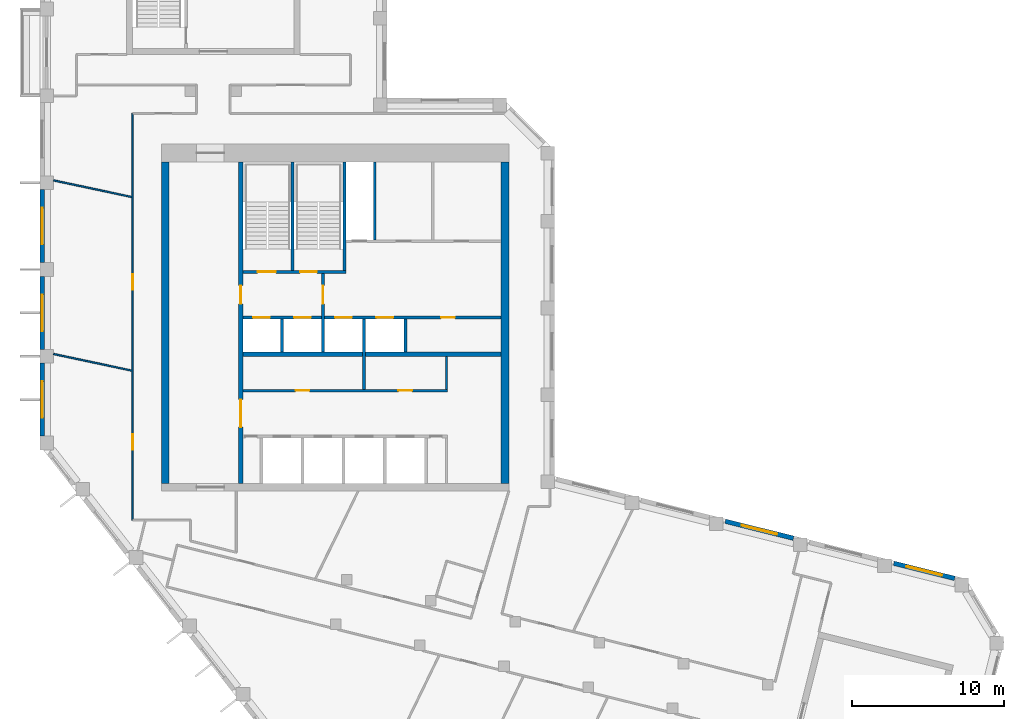
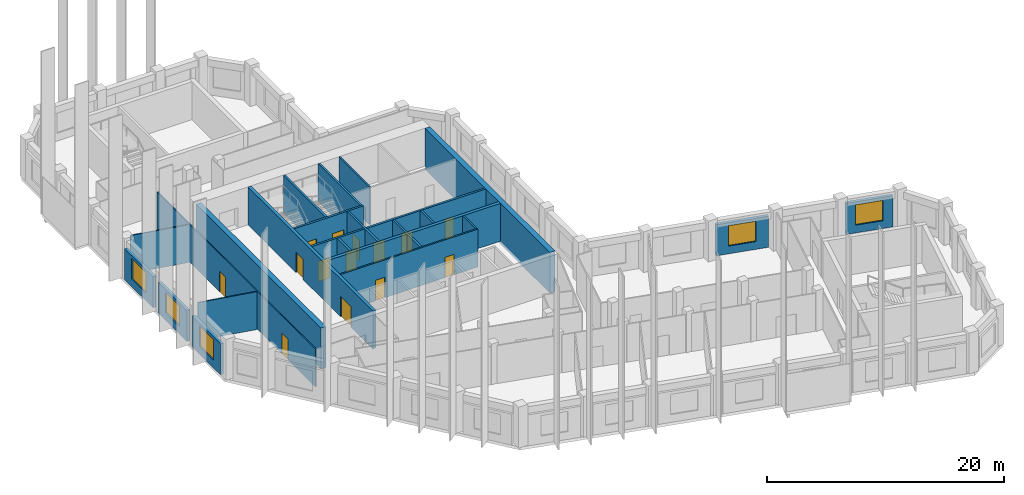
# One storey, part 5 of 8: 23 walls, 14 doors, 5 windows, 19 openings.
"""IFC4 building model written with IfcOpenShell, lengths in metres."""

from ifc_helpers import new_model, si_unit, direction, frame, frame_2d, origin, place, context, subcontext, project, spatial, rectangle, extrude, material, layer, layer_set, type_object, element, fill, save


model = new_model("IFC4")

# Units and contexts
model_context = context("Model", 3, precision=1e-05, world=origin(), true_north=direction((0.0, 1.0)))
body_context = subcontext(model_context, "Body", "Model", "MODEL_VIEW")
ifc_project = project(units=[si_unit("LENGTHUNIT", "METRE"), si_unit("AREAUNIT", "SQUARE_METRE"), si_unit("VOLUMEUNIT", "CUBIC_METRE"), si_unit("PLANEANGLEUNIT", "RADIAN"), si_unit("MASSUNIT", "GRAM", prefix="KILO")], contexts=[model_context])

# Site, building, storey
site_placement = place(None, origin())
site = spatial("IfcSite", under=ifc_project, at=site_placement, CompositionType="ELEMENT")
building_placement = place(site_placement, origin())
building = spatial("IfcBuilding", under=site, at=building_placement, Name="Meshkara Civic Tower", CompositionType="ELEMENT")
storey_placement = place(building_placement, frame((0.0, 0.0, 370.800048828125)))
storey = spatial("IfcBuildingStorey", under=building, at=storey_placement, Name="L85", CompositionType="ELEMENT", Elevation=370.800048828125)

# Wall, openings, doors
ifc_material_1 = material(Name="Blockwork", Category="masonry")
ifc_layer_1 = layer(ifc_material_1, 0.14990234375)
ifc_layer_set_1 = layer_set([ifc_layer_1], Name="Core partition 150")
wall_type_1 = type_object("IfcWallType", Name="Core partition 150", PredefinedType="PARTITIONING", material=ifc_layer_set_1)
wall_1_placement = place(storey_placement, frame((13.35009765625, 20.699951171875, 0.0), z_axis=(0.0, 0.0, 1.0), x_axis=(1.0, 0.0, 0.0)))
wall_1 = element("IfcWall", 1, at=wall_1_placement, inside=storey, type_object=wall_type_1, Name="L85-C006", PredefinedType="PARTITIONING", context=body_context, shape_type="SweptSolid", body=[
    extrude(rectangle(XDim=13.4248046875, YDim=0.14990234375, at=frame_2d((6.71240234375, 0.0))), origin(), (0.0, 0.0, 1.0), 3.89990234375),
])
opening_1_placement = place(wall_1_placement, frame((3.449951171875, 0.0, 0.0)))
opening_1 = element("IfcOpeningElement", 2, at=opening_1_placement, cuts=wall_1, Name="Opening L85-K011", PredefinedType="OPENING", context=body_context, shape_type="SweptSolid", body=[
    extrude(rectangle(XDim=0.89990234375, YDim=2.10009765625, at=frame_2d((0.449951171875, 1.050048828125))), frame((0.0, 0.0849609375, 0.0), z_axis=(0.0, -1.0, 0.0), x_axis=(1.0, 0.0, 0.0)), (0.0, 0.0, 1.0), 0.169921875),
])
opening_2_placement = place(wall_1_placement, frame((10.199951171875, 0.0, 0.0)))
opening_2 = element("IfcOpeningElement", 3, at=opening_2_placement, cuts=wall_1, Name="Opening L85-K012", PredefinedType="OPENING", context=body_context, shape_type="SweptSolid", body=[
    extrude(rectangle(XDim=0.89990234375, YDim=2.10009765625, at=frame_2d((0.449951171875, 1.050048828125))), frame((0.0, 0.0849609375, 0.0), z_axis=(0.0, -1.0, 0.0), x_axis=(1.0, 0.0, 0.0)), (0.0, 0.0, 1.0), 0.169921875),
])
ifc_material_2 = material(Name="Timber door leaf in steel frame", Category="steel")
door_type_1 = type_object("IfcDoorType", Name="Core room door 900", OperationType="SINGLE_SWING_LEFT", PredefinedType="DOOR", material=ifc_material_2)
door_1_placement = place(opening_1_placement, origin())
door_1 = element("IfcDoor", 4, at=door_1_placement, inside=storey, type_object=door_type_1, Name="L85-K011", OperationType="SINGLE_SWING_RIGHT", OverallHeight=2.10009765625, OverallWidth=0.89990234375, PredefinedType="DOOR", context=body_context, shape_type="SweptSolid", body=[
    extrude(rectangle(XDim=0.89990234375, YDim=2.10009765625, at=frame_2d((0.449951171875, 1.050048828125))), frame((0.0, 0.02490234375, 0.0), z_axis=(0.0, -1.0, 0.0), x_axis=(1.0, 0.0, 0.0)), (0.0, 0.0, 1.0), 0.050048828125),
])
fill(opening_1, door_1)
door_2_placement = place(opening_2_placement, origin())
door_2 = element("IfcDoor", 5, at=door_2_placement, inside=storey, type_object=door_type_1, Name="L85-K012", OperationType="SINGLE_SWING_RIGHT", OverallHeight=2.10009765625, OverallWidth=0.89990234375, PredefinedType="DOOR", context=body_context, shape_type="SweptSolid", body=[
    extrude(rectangle(XDim=0.89990234375, YDim=2.10009765625, at=frame_2d((0.449951171875, 1.050048828125))), frame((0.0, 0.02490234375, 0.0), z_axis=(0.0, -1.0, 0.0), x_axis=(1.0, 0.0, 0.0)), (0.0, 0.0, 1.0), 0.050048828125),
])
fill(opening_2, door_2)

# Walls
wall_2_placement = place(storey_placement, frame((22.0, 30.574951171875, 0.0), z_axis=(0.0, 0.0, 1.0), x_axis=(0.0, 1.0, 0.0)))
element("IfcWall", 6, at=wall_2_placement, inside=storey, type_object=wall_type_1, Name="L85-C020", PredefinedType="PARTITIONING", context=body_context, shape_type="SweptSolid", body=[
    extrude(rectangle(XDim=5.125, YDim=0.14990234375, at=frame_2d((2.5625, 0.0))), origin(), (0.0, 0.0, 1.0), 3.89990234375),
])
wall_3_placement = place(storey_placement, frame((26.699951171875, 20.77490234375, 0.0), z_axis=(0.0, 0.0, 1.0), x_axis=(0.0, 1.0, 0.0)))
element("IfcWall", 7, at=wall_3_placement, inside=storey, type_object=wall_type_1, Name="L85-C026", PredefinedType="PARTITIONING", context=body_context, shape_type="SweptSolid", body=[
    extrude(rectangle(XDim=2.175048828125, YDim=0.14990234375, at=frame_2d((1.08740234375, 0.0))), origin(), (0.0, 0.0, 1.0), 3.89990234375),
])
ifc_material_3 = material(Name="Concrete C50", Category="concrete")
ifc_layer_2 = layer(ifc_material_3, 0.5)
ifc_layer_set_2 = layer_set([ifc_layer_2], Name="Core ring wall 500 C50")
wall_type_2 = type_object("IfcWallType", Name="Core ring wall 500 C50", PredefinedType="SHEAR", material=ifc_layer_set_2)
for number, where, z_axis, x_axis, name in (
    (8, (8.25, 14.60009765625, -0.300048828125), (0.0, 0.0, 1.0), (0.0, 1.0, 0.0), "L85-C003"),
    (9, (30.550048828125, 14.60009765625, -0.300048828125), (0.0, 0.0, 1.0), (0.0, 1.0, 0.0), "L85-C004"),
):
    element("IfcWall", number, at=place(storey_placement, frame(where, z_axis=z_axis, x_axis=x_axis)), inside=storey, type_object=wall_type_2, Name=name, PredefinedType="SHEAR", context=body_context, shape_type="SweptSolid", body=[
        extrude(rectangle(XDim=21.099853515625, YDim=0.5, at=frame_2d((10.5498046875, 0.0))), origin(), (0.0, 0.0, 1.0), 4.199951171875),
    ])
ifc_material_4 = material(Name="Concrete C50", Category="concrete")
ifc_layer_3 = layer(ifc_material_4, 0.300048828125)
ifc_layer_set_3 = layer_set([ifc_layer_3], Name="Core shear wall 300 C50")
wall_type_3 = type_object("IfcWallType", Name="Core shear wall 300 C50", PredefinedType="SHEAR", material=ifc_layer_set_3)
wall_4_placement = place(storey_placement, frame((13.35009765625, 23.10009765625, 0.0), z_axis=(0.0, 0.0, 1.0), x_axis=(1.0, 0.0, 0.0)))
element("IfcWall", 10, at=wall_4_placement, inside=storey, type_object=wall_type_3, Name="L85-C007", PredefinedType="SHEAR", context=body_context, shape_type="SweptSolid", body=[
    extrude(rectangle(XDim=16.949951171875, YDim=0.300048828125, at=frame_2d((8.47509765625, 0.0))), origin(), (0.0, 0.0, 1.0), 3.89990234375),
])

# Wall, openings, doors
wall_5_placement = place(storey_placement, frame((13.199951171875, 14.60009765625, 0.0), z_axis=(0.0, 0.0, 1.0), x_axis=(0.0, 1.0, 0.0)))
wall_5 = element("IfcWall", 11, at=wall_5_placement, inside=storey, type_object=wall_type_3, Name="L85-C011", PredefinedType="SHEAR", context=body_context, shape_type="SweptSolid", body=[
    extrude(rectangle(XDim=21.099853515625, YDim=0.300048828125, at=frame_2d((10.5498046875, 0.0))), origin(), (0.0, 0.0, 1.0), 3.89990234375),
])
opening_3_placement = place(wall_5_placement, frame((3.699951171875, 0.0, 0.0)))
opening_3 = element("IfcOpeningElement", 12, at=opening_3_placement, cuts=wall_5, Name="Opening L85-K019", PredefinedType="OPENING", context=body_context, shape_type="SweptSolid", body=[
    extrude(rectangle(XDim=1.800048828125, YDim=2.10009765625, at=frame_2d((0.89990234375, 1.050048828125))), frame((0.0, 0.159912109375, 0.0), z_axis=(0.0, -1.0, 0.0), x_axis=(1.0, 0.0, 0.0)), (0.0, 0.0, 1.0), 0.320068359375),
])
opening_4_placement = place(wall_5_placement, frame((11.800048828125, 0.0, 0.0)))
opening_4 = element("IfcOpeningElement", 13, at=opening_4_placement, cuts=wall_5, Name="Opening L85-K020", PredefinedType="OPENING", context=body_context, shape_type="SweptSolid", body=[
    extrude(rectangle(XDim=1.199951171875, YDim=2.10009765625, at=frame_2d((0.60009765625, 1.050048828125))), frame((0.0, 0.159912109375, 0.0), z_axis=(0.0, -1.0, 0.0), x_axis=(1.0, 0.0, 0.0)), (0.0, 0.0, 1.0), 0.320068359375),
])
ifc_material_5 = material(Name="Fire-rated door leaf in steel frame", Category="steel")
door_type_2 = type_object("IfcDoorType", Name="Core double door 1800 EI 60", OperationType="DOUBLE_DOOR_SINGLE_SWING", PredefinedType="DOOR", material=ifc_material_5)
door_3_placement = place(opening_3_placement, origin())
door_3 = element("IfcDoor", 14, at=door_3_placement, inside=storey, type_object=door_type_2, Name="L85-K019", OperationType="DOUBLE_DOOR_SINGLE_SWING", OverallHeight=2.10009765625, OverallWidth=1.800048828125, PredefinedType="DOOR", context=body_context, shape_type="SweptSolid", body=[
    extrude(rectangle(XDim=1.800048828125, YDim=2.10009765625, at=frame_2d((0.89990234375, 1.050048828125))), frame((0.0, 0.02490234375, 0.0), z_axis=(0.0, -1.0, 0.0), x_axis=(1.0, 0.0, 0.0)), (0.0, 0.0, 1.0), 0.050048828125),
])
fill(opening_3, door_3)
ifc_material_6 = material(Name="Fire-rated door leaf in steel frame", Category="steel")
door_type_3 = type_object("IfcDoorType", Name="Fire-fighting lobby door 1200 EI 120", OperationType="SINGLE_SWING_LEFT", PredefinedType="DOOR", material=ifc_material_6)
door_4_placement = place(opening_4_placement, origin())
door_4 = element("IfcDoor", 15, at=door_4_placement, inside=storey, type_object=door_type_3, Name="L85-K020", OperationType="SINGLE_SWING_LEFT", OverallHeight=2.10009765625, OverallWidth=1.199951171875, PredefinedType="DOOR", context=body_context, shape_type="SweptSolid", body=[
    extrude(rectangle(XDim=1.199951171875, YDim=2.10009765625, at=frame_2d((0.60009765625, 1.050048828125))), frame((0.0, 0.02490234375, 0.0), z_axis=(0.0, -1.0, 0.0), x_axis=(1.0, 0.0, 0.0)), (0.0, 0.0, 1.0), 0.050048828125),
])
fill(opening_4, door_4)

ifc_material_7 = material(Name="Corridor wall 100")
ifc_layer_4 = layer(ifc_material_7, 0.10009765625)
ifc_layer_set_4 = layer_set([ifc_layer_4], Name="Corridor wall 100")
wall_type_4 = type_object("IfcWallType", Name="Corridor wall 100", PredefinedType="PARTITIONING", material=ifc_layer_set_4)
wall_6_placement = place(storey_placement, frame((6.10009765625, 38.89990234375, 0.0), z_axis=(0.0, 0.0, 1.0), x_axis=(0.0, -1.0, 0.0)))
wall_6 = element("IfcWall", 16, at=wall_6_placement, inside=storey, type_object=wall_type_4, Name="L85-W005", PredefinedType="PARTITIONING", context=body_context, shape_type="SweptSolid", body=[
    extrude(rectangle(XDim=26.699951171875, YDim=0.10009765625, at=frame_2d((13.35009765625, 0.0))), origin(), (0.0, 0.0, 1.0), 3.89990234375),
])
opening_5_placement = place(wall_6_placement, frame((21.068115234375, 0.0, 0.0)))
opening_5 = element("IfcOpeningElement", 17, at=opening_5_placement, cuts=wall_6, Name="Opening L85-D012", PredefinedType="OPENING", context=body_context, shape_type="SweptSolid", body=[
    extrude(rectangle(XDim=1.0, YDim=2.10009765625, at=frame_2d((0.5, 1.050048828125))), frame((0.0, 0.06005859375, 0.0), z_axis=(0.0, -1.0, 0.0), x_axis=(1.0, 0.0, 0.0)), (0.0, 0.0, 1.0), 0.1201171875),
])
opening_6_placement = place(wall_6_placement, frame((10.568115234375, 0.0, 0.0)))
opening_6 = element("IfcOpeningElement", 18, at=opening_6_placement, cuts=wall_6, Name="Opening L85-D013", PredefinedType="OPENING", context=body_context, shape_type="SweptSolid", body=[
    extrude(rectangle(XDim=1.0, YDim=2.10009765625, at=frame_2d((0.5, 1.050048828125))), frame((0.0, 0.06005859375, 0.0), z_axis=(0.0, -1.0, 0.0), x_axis=(1.0, 0.0, 0.0)), (0.0, 0.0, 1.0), 0.1201171875),
])
ifc_material_8 = material(Name="Door 1000 x 2100")
door_type_4 = type_object("IfcDoorType", Name="Door 1000 x 2100", OperationType="SINGLE_SWING_LEFT", PredefinedType="DOOR", material=ifc_material_8)
door_5_placement = place(opening_5_placement, origin())
door_5 = element("IfcDoor", 19, at=door_5_placement, inside=storey, type_object=door_type_4, Name="L85-D012", OperationType="SINGLE_SWING_RIGHT", OverallHeight=2.10009765625, OverallWidth=1.0, PredefinedType="DOOR", context=body_context, shape_type="SweptSolid", body=[
    extrude(rectangle(XDim=1.0, YDim=2.10009765625, at=frame_2d((0.5, 1.050048828125))), frame((0.0, 0.02490234375, 0.0), z_axis=(0.0, -1.0, 0.0), x_axis=(1.0, 0.0, 0.0)), (0.0, 0.0, 1.0), 0.050048828125),
])
fill(opening_5, door_5)
door_6_placement = place(opening_6_placement, origin())
door_6 = element("IfcDoor", 20, at=door_6_placement, inside=storey, type_object=door_type_4, Name="L85-D013", OperationType="SINGLE_SWING_RIGHT", OverallHeight=2.10009765625, OverallWidth=1.0, PredefinedType="DOOR", context=body_context, shape_type="SweptSolid", body=[
    extrude(rectangle(XDim=1.0, YDim=2.10009765625, at=frame_2d((0.5, 1.050048828125))), frame((0.0, 0.02490234375, 0.0), z_axis=(0.0, -1.0, 0.0), x_axis=(1.0, 0.0, 0.0)), (0.0, 0.0, 1.0), 0.050048828125),
])
fill(opening_6, door_6)

# Wall, opening, window
ifc_material_9 = material(Name="Insulated infill panel with bronze anodised aluminium cladding", Category="aluminium")
ifc_layer_5 = layer(ifc_material_9, 0.300048828125)
ifc_layer_set_5 = layer_set([ifc_layer_5], Name="EXTERNAL INFILL WALL 300")
wall_type_5 = type_object("IfcWallType", Name="EXTERNAL INFILL WALL 300", PredefinedType="SOLIDWALL", material=ifc_layer_set_5)
wall_7_placement = place(storey_placement, frame((60.075927734375, 8.364990234375, 0.0), z_axis=(0.0, 0.0, 1.0), x_axis=(-0.970323340708, 0.24181111322, 0.0)))
wall_7 = element("IfcWall", 21, at=wall_7_placement, inside=storey, type_object=wall_type_5, Name="External wall", PredefinedType="SOLIDWALL", context=body_context, shape_type="SweptSolid", body=[
    extrude(rectangle(XDim=4.123291015625, YDim=0.300048828125, at=frame_2d((2.0615234375, 0.0))), origin(), (0.0, 0.0, 1.0), 3.199951171875),
])
opening_7_placement = place(wall_7_placement, frame((0.862060546875, 0.0, 0.800048828125)))
opening_7 = element("IfcOpeningElement", 22, at=opening_7_placement, cuts=wall_7, Name="Opening W7", PredefinedType="OPENING", context=body_context, shape_type="SweptSolid", body=[
    extrude(rectangle(XDim=2.39990234375, YDim=2.10009765625, at=frame_2d((1.199951171875, 1.050048828125))), frame((0.0, 0.159912109375, 0.0), z_axis=(0.0, -1.0, 0.0), x_axis=(1.0, 0.0, 0.0)), (0.0, 0.0, 1.0), 0.320068359375),
])
ifc_material_10 = material(Name="Tinted double glazing", Category="glass")
window_type = type_object("IfcWindowType", Name="WINDOW 2400x2100", PartitioningType="DOUBLE_PANEL_VERTICAL", PredefinedType="WINDOW", material=ifc_material_10)
window_1_placement = place(opening_7_placement, origin())
window_1 = element("IfcWindow", 23, at=window_1_placement, inside=storey, type_object=window_type, Name="Window", OverallHeight=2.10009765625, OverallWidth=2.39990234375, PartitioningType="DOUBLE_PANEL_VERTICAL", PredefinedType="WINDOW", context=body_context, shape_type="SweptSolid", body=[
    extrude(rectangle(XDim=2.39990234375, YDim=2.10009765625, at=frame_2d((1.199951171875, 1.050048828125))), frame((0.0, 0.030029296875, 0.0), z_axis=(0.0, -1.0, 0.0), x_axis=(1.0, 0.0, 0.0)), (0.0, 0.0, 1.0), 0.06005859375),
])
fill(opening_7, window_1)

wall_8_placement = place(storey_placement, frame((49.485107421875, 11.0048828125, 0.0), z_axis=(0.0, 0.0, 1.0), x_axis=(-0.970235897967, 0.242161727563, 0.0)))
wall_8 = element("IfcWall", 24, at=wall_8_placement, inside=storey, type_object=wall_type_5, Name="External wall", PredefinedType="SOLIDWALL", context=body_context, shape_type="SweptSolid", body=[
    extrude(rectangle(XDim=4.609375, YDim=0.300048828125, at=frame_2d((2.3046875, 0.0))), origin(), (0.0, 0.0, 1.0), 3.199951171875),
])
opening_8_placement = place(wall_8_placement, frame((1.10498046875, 0.0, 0.800048828125)))
opening_8 = element("IfcOpeningElement", 25, at=opening_8_placement, cuts=wall_8, Name="Opening W7", PredefinedType="OPENING", context=body_context, shape_type="SweptSolid", body=[
    extrude(rectangle(XDim=2.39990234375, YDim=2.10009765625, at=frame_2d((1.199951171875, 1.050048828125))), frame((0.0, 0.159912109375, 0.0), z_axis=(0.0, -1.0, 0.0), x_axis=(1.0, 0.0, 0.0)), (0.0, 0.0, 1.0), 0.320068359375),
])
window_2_placement = place(opening_8_placement, origin())
window_2 = element("IfcWindow", 26, at=window_2_placement, inside=storey, type_object=window_type, Name="Window", OverallHeight=2.10009765625, OverallWidth=2.39990234375, PartitioningType="DOUBLE_PANEL_VERTICAL", PredefinedType="WINDOW", context=body_context, shape_type="SweptSolid", body=[
    extrude(rectangle(XDim=2.39990234375, YDim=2.10009765625, at=frame_2d((1.199951171875, 1.050048828125))), frame((0.0, 0.030029296875, 0.0), z_axis=(0.0, -1.0, 0.0), x_axis=(1.0, 0.0, 0.0)), (0.0, 0.0, 1.0), 0.06005859375),
])
fill(opening_8, window_2)

wall_9_placement = place(storey_placement, frame((0.14990234375, 33.905029296875, 0.0), z_axis=(0.0, 0.0, 1.0), x_axis=(0.0, -1.0, 0.0)))
wall_9 = element("IfcWall", 27, at=wall_9_placement, inside=storey, type_object=wall_type_5, Name="External wall", PredefinedType="SOLIDWALL", context=body_context, shape_type="SweptSolid", body=[
    extrude(rectangle(XDim=4.800048828125, YDim=0.300048828125, at=frame_2d((2.39990234375, 0.0))), origin(), (0.0, 0.0, 1.0), 3.199951171875),
])
opening_9_placement = place(wall_9_placement, frame((1.199951171875, 0.0, 0.800048828125)))
opening_9 = element("IfcOpeningElement", 28, at=opening_9_placement, cuts=wall_9, Name="Opening W7", PredefinedType="OPENING", context=body_context, shape_type="SweptSolid", body=[
    extrude(rectangle(XDim=2.39990234375, YDim=2.10009765625, at=frame_2d((1.199951171875, 1.050048828125))), frame((0.0, 0.159912109375, 0.0), z_axis=(0.0, -1.0, 0.0), x_axis=(1.0, 0.0, 0.0)), (0.0, 0.0, 1.0), 0.320068359375),
])
window_3_placement = place(opening_9_placement, origin())
window_3 = element("IfcWindow", 29, at=window_3_placement, inside=storey, type_object=window_type, Name="Window", OverallHeight=2.10009765625, OverallWidth=2.39990234375, PartitioningType="DOUBLE_PANEL_VERTICAL", PredefinedType="WINDOW", context=body_context, shape_type="SweptSolid", body=[
    extrude(rectangle(XDim=2.39990234375, YDim=2.10009765625, at=frame_2d((1.199951171875, 1.050048828125))), frame((0.0, 0.030029296875, 0.0), z_axis=(0.0, -1.0, 0.0), x_axis=(1.0, 0.0, 0.0)), (0.0, 0.0, 1.0), 0.06005859375),
])
fill(opening_9, window_3)

wall_10_placement = place(storey_placement, frame((0.14990234375, 28.205078125, 0.0), z_axis=(0.0, 0.0, 1.0), x_axis=(0.0, -1.0, 0.0)))
wall_10 = element("IfcWall", 30, at=wall_10_placement, inside=storey, type_object=wall_type_5, Name="External wall", PredefinedType="SOLIDWALL", context=body_context, shape_type="SweptSolid", body=[
    extrude(rectangle(XDim=4.800048828125, YDim=0.300048828125, at=frame_2d((2.39990234375, 0.0))), origin(), (0.0, 0.0, 1.0), 3.199951171875),
])
opening_10_placement = place(wall_10_placement, frame((1.199951171875, 0.0, 0.800048828125)))
opening_10 = element("IfcOpeningElement", 31, at=opening_10_placement, cuts=wall_10, Name="Opening W7", PredefinedType="OPENING", context=body_context, shape_type="SweptSolid", body=[
    extrude(rectangle(XDim=2.39990234375, YDim=2.10009765625, at=frame_2d((1.199951171875, 1.050048828125))), frame((0.0, 0.159912109375, 0.0), z_axis=(0.0, -1.0, 0.0), x_axis=(1.0, 0.0, 0.0)), (0.0, 0.0, 1.0), 0.320068359375),
])
window_4_placement = place(opening_10_placement, origin())
window_4 = element("IfcWindow", 32, at=window_4_placement, inside=storey, type_object=window_type, Name="Window", OverallHeight=2.10009765625, OverallWidth=2.39990234375, PartitioningType="DOUBLE_PANEL_VERTICAL", PredefinedType="WINDOW", context=body_context, shape_type="SweptSolid", body=[
    extrude(rectangle(XDim=2.39990234375, YDim=2.10009765625, at=frame_2d((1.199951171875, 1.050048828125))), frame((0.0, 0.030029296875, 0.0), z_axis=(0.0, -1.0, 0.0), x_axis=(1.0, 0.0, 0.0)), (0.0, 0.0, 1.0), 0.06005859375),
])
fill(opening_10, window_4)

wall_11_placement = place(storey_placement, frame((0.14990234375, 22.5048828125, 0.0), z_axis=(0.0, 0.0, 1.0), x_axis=(0.0, -1.0, 0.0)))
wall_11 = element("IfcWall", 33, at=wall_11_placement, inside=storey, type_object=wall_type_5, Name="External wall", PredefinedType="SOLIDWALL", context=body_context, shape_type="SweptSolid", body=[
    extrude(rectangle(XDim=4.7998046875, YDim=0.300048828125, at=frame_2d((2.39990234375, 0.0))), origin(), (0.0, 0.0, 1.0), 3.199951171875),
])
opening_11_placement = place(wall_11_placement, frame((1.199951171875, 0.0, 0.800048828125)))
opening_11 = element("IfcOpeningElement", 34, at=opening_11_placement, cuts=wall_11, Name="Opening W7", PredefinedType="OPENING", context=body_context, shape_type="SweptSolid", body=[
    extrude(rectangle(XDim=2.39990234375, YDim=2.10009765625, at=frame_2d((1.199951171875, 1.050048828125))), frame((0.0, 0.159912109375, 0.0), z_axis=(0.0, -1.0, 0.0), x_axis=(1.0, 0.0, 0.0)), (0.0, 0.0, 1.0), 0.320068359375),
])
window_5_placement = place(opening_11_placement, origin())
window_5 = element("IfcWindow", 35, at=window_5_placement, inside=storey, type_object=window_type, Name="Window", OverallHeight=2.10009765625, OverallWidth=2.39990234375, PartitioningType="DOUBLE_PANEL_VERTICAL", PredefinedType="WINDOW", context=body_context, shape_type="SweptSolid", body=[
    extrude(rectangle(XDim=2.39990234375, YDim=2.10009765625, at=frame_2d((1.199951171875, 1.050048828125))), frame((0.0, 0.030029296875, 0.0), z_axis=(0.0, -1.0, 0.0), x_axis=(1.0, 0.0, 0.0)), (0.0, 0.0, 1.0), 0.06005859375),
])
fill(opening_11, window_5)

# Walls
ifc_material_11 = material(Name="Partition 100")
ifc_layer_6 = layer(ifc_material_11, 0.10009765625)
ifc_layer_set_6 = layer_set([ifc_layer_6], Name="Partition 100")
wall_type_6 = type_object("IfcWallType", Name="Partition 100", PredefinedType="PARTITIONING", material=ifc_layer_set_6)
for number, where, z_axis, x_axis, name in (
    (36, (6.0400390625, 22.011962890625, 0.0), (0.0, 0.0, 1.0), (-0.978168059991, 0.207815414284, 0.0), "L85-W040"),
    (37, (6.0400390625, 33.412109375, 0.0), (0.0, 0.0, 1.0), (-0.978177503379, 0.207770960155, 0.0), "L85-W041"),
):
    element("IfcWall", number, at=place(storey_placement, frame(where, z_axis=z_axis, x_axis=x_axis)), inside=storey, type_object=wall_type_6, Name=name, PredefinedType="PARTITIONING", context=body_context, shape_type="SweptSolid", body=[
        extrude(rectangle(XDim=5.2548828125, YDim=0.10009765625, at=frame_2d((2.62744140625, 0.0))), origin(), (0.0, 0.0, 1.0), 3.89990234375),
    ])

# Wall, openings, doors
ifc_material_12 = material(Name="Concrete C40/50", Category="concrete")
ifc_layer_7 = layer(ifc_material_12, 0.199951171875)
ifc_layer_set_7 = layer_set([ifc_layer_7], Name="Shaft wall 200 C40/50")
wall_type_7 = type_object("IfcWallType", Name="Shaft wall 200 C40/50", PredefinedType="SOLIDWALL", material=ifc_layer_set_7)
wall_12_placement = place(storey_placement, frame((13.35009765625, 25.5, 0.0), z_axis=(0.0, 0.0, 1.0), x_axis=(1.0, 0.0, 0.0)))
wall_12 = element("IfcWall", 38, at=wall_12_placement, inside=storey, type_object=wall_type_7, Name="L85-C008", PredefinedType="SOLIDWALL", context=body_context, shape_type="SweptSolid", body=[
    extrude(rectangle(XDim=16.949951171875, YDim=0.199951171875, at=frame_2d((8.47509765625, 0.0))), origin(), (0.0, 0.0, 1.0), 3.89990234375),
])
opening_12_placement = place(wall_12_placement, frame((0.64990234375, 0.0, 0.0)))
opening_12 = element("IfcOpeningElement", 39, at=opening_12_placement, cuts=wall_12, Name="Opening L85-K005", PredefinedType="OPENING", context=body_context, shape_type="SweptSolid", body=[
    extrude(rectangle(XDim=1.10009765625, YDim=2.10009765625, at=frame_2d((0.550048828125, 1.050048828125))), frame((0.0, 0.10986328125, 0.0), z_axis=(0.0, -1.0, 0.0), x_axis=(1.0, 0.0, 0.0)), (0.0, 0.0, 1.0), 0.219970703125),
])
opening_13_placement = place(wall_12_placement, frame((3.35009765625, 0.0, 0.0)))
opening_13 = element("IfcOpeningElement", 40, at=opening_13_placement, cuts=wall_12, Name="Opening L85-K006", PredefinedType="OPENING", context=body_context, shape_type="SweptSolid", body=[
    extrude(rectangle(XDim=1.10009765625, YDim=2.10009765625, at=frame_2d((0.550048828125, 1.050048828125))), frame((0.0, 0.10986328125, 0.0), z_axis=(0.0, -1.0, 0.0), x_axis=(1.0, 0.0, 0.0)), (0.0, 0.0, 1.0), 0.219970703125),
])
opening_14_placement = place(wall_12_placement, frame((6.050048828125, 0.0, 0.0)))
opening_14 = element("IfcOpeningElement", 41, at=opening_14_placement, cuts=wall_12, Name="Opening L85-K007", PredefinedType="OPENING", context=body_context, shape_type="SweptSolid", body=[
    extrude(rectangle(XDim=1.10009765625, YDim=2.10009765625, at=frame_2d((0.550048828125, 1.050048828125))), frame((0.0, 0.10986328125, 0.0), z_axis=(0.0, -1.0, 0.0), x_axis=(1.0, 0.0, 0.0)), (0.0, 0.0, 1.0), 0.219970703125),
])
opening_15_placement = place(wall_12_placement, frame((8.75, 0.0, 0.0)))
opening_15 = element("IfcOpeningElement", 42, at=opening_15_placement, cuts=wall_12, Name="Opening L85-K008", PredefinedType="OPENING", context=body_context, shape_type="SweptSolid", body=[
    extrude(rectangle(XDim=1.10009765625, YDim=2.10009765625, at=frame_2d((0.550048828125, 1.050048828125))), frame((0.0, 0.10986328125, 0.0), z_axis=(0.0, -1.0, 0.0), x_axis=(1.0, 0.0, 0.0)), (0.0, 0.0, 1.0), 0.219970703125),
])
opening_16_placement = place(wall_12_placement, frame((13.0, 0.0, 0.0)))
opening_16 = element("IfcOpeningElement", 43, at=opening_16_placement, cuts=wall_12, Name="Opening L85-K013", PredefinedType="OPENING", context=body_context, shape_type="SweptSolid", body=[
    extrude(rectangle(XDim=0.89990234375, YDim=2.10009765625, at=frame_2d((0.449951171875, 1.050048828125))), frame((0.0, 0.10986328125, 0.0), z_axis=(0.0, -1.0, 0.0), x_axis=(1.0, 0.0, 0.0)), (0.0, 0.0, 1.0), 0.219970703125),
])
door_7_placement = place(opening_16_placement, origin())
door_7 = element("IfcDoor", 44, at=door_7_placement, inside=storey, type_object=door_type_1, Name="L85-K013", OperationType="SINGLE_SWING_LEFT", OverallHeight=2.10009765625, OverallWidth=0.89990234375, PredefinedType="DOOR", context=body_context, shape_type="SweptSolid", body=[
    extrude(rectangle(XDim=0.89990234375, YDim=2.10009765625, at=frame_2d((0.449951171875, 1.050048828125))), frame((0.0, 0.02490234375, 0.0), z_axis=(0.0, -1.0, 0.0), x_axis=(1.0, 0.0, 0.0)), (0.0, 0.0, 1.0), 0.050048828125),
])
fill(opening_16, door_7)
ifc_material_13 = material(Name="Stainless steel landing door", Category="steel")
door_type_5 = type_object("IfcDoorType", Name="Lift landing door 1100", OperationType="SLIDING_TO_LEFT", PredefinedType="DOOR", material=ifc_material_13)
door_8_placement = place(opening_12_placement, origin())
door_8 = element("IfcDoor", 45, at=door_8_placement, inside=storey, type_object=door_type_5, Name="L85-K005", OperationType="SLIDING_TO_LEFT", OverallHeight=2.10009765625, OverallWidth=1.10009765625, PredefinedType="DOOR", context=body_context, shape_type="SweptSolid", body=[
    extrude(rectangle(XDim=1.10009765625, YDim=2.10009765625, at=frame_2d((0.550048828125, 1.050048828125))), frame((0.0, 0.02490234375, 0.0), z_axis=(0.0, -1.0, 0.0), x_axis=(1.0, 0.0, 0.0)), (0.0, 0.0, 1.0), 0.050048828125),
])
fill(opening_12, door_8)
door_9_placement = place(opening_13_placement, origin())
door_9 = element("IfcDoor", 46, at=door_9_placement, inside=storey, type_object=door_type_5, Name="L85-K006", OperationType="SLIDING_TO_LEFT", OverallHeight=2.10009765625, OverallWidth=1.10009765625, PredefinedType="DOOR", context=body_context, shape_type="SweptSolid", body=[
    extrude(rectangle(XDim=1.10009765625, YDim=2.10009765625, at=frame_2d((0.550048828125, 1.050048828125))), frame((0.0, 0.02490234375, 0.0), z_axis=(0.0, -1.0, 0.0), x_axis=(1.0, 0.0, 0.0)), (0.0, 0.0, 1.0), 0.050048828125),
])
fill(opening_13, door_9)
door_10_placement = place(opening_14_placement, origin())
door_10 = element("IfcDoor", 47, at=door_10_placement, inside=storey, type_object=door_type_5, Name="L85-K007", OperationType="SLIDING_TO_LEFT", OverallHeight=2.10009765625, OverallWidth=1.10009765625, PredefinedType="DOOR", context=body_context, shape_type="SweptSolid", body=[
    extrude(rectangle(XDim=1.10009765625, YDim=2.10009765625, at=frame_2d((0.550048828125, 1.050048828125))), frame((0.0, 0.02490234375, 0.0), z_axis=(0.0, -1.0, 0.0), x_axis=(1.0, 0.0, 0.0)), (0.0, 0.0, 1.0), 0.050048828125),
])
fill(opening_14, door_10)
door_11_placement = place(opening_15_placement, origin())
door_11 = element("IfcDoor", 48, at=door_11_placement, inside=storey, type_object=door_type_5, Name="L85-K008", OperationType="SLIDING_TO_LEFT", OverallHeight=2.10009765625, OverallWidth=1.10009765625, PredefinedType="DOOR", context=body_context, shape_type="SweptSolid", body=[
    extrude(rectangle(XDim=1.10009765625, YDim=2.10009765625, at=frame_2d((0.550048828125, 1.050048828125))), frame((0.0, 0.02490234375, 0.0), z_axis=(0.0, -1.0, 0.0), x_axis=(1.0, 0.0, 0.0)), (0.0, 0.0, 1.0), 0.050048828125),
])
fill(opening_15, door_11)

# Wall
wall_13_placement = place(storey_placement, frame((15.89990234375, 23.25, 0.0), z_axis=(0.0, 0.0, 1.0), x_axis=(0.0, 1.0, 0.0)))
element("IfcWall", 49, at=wall_13_placement, inside=storey, type_object=wall_type_7, Name="L85-C013", PredefinedType="SOLIDWALL", context=body_context, shape_type="SweptSolid", body=[
    extrude(rectangle(XDim=2.14990234375, YDim=0.199951171875, at=frame_2d((1.074951171875, 0.0))), origin(), (0.0, 0.0, 1.0), 3.89990234375),
])

# Wall, opening, door
wall_14_placement = place(storey_placement, frame((18.60009765625, 23.25, 0.0), z_axis=(0.0, 0.0, 1.0), x_axis=(0.0, 1.0, 0.0)))
wall_14 = element("IfcWall", 50, at=wall_14_placement, inside=storey, type_object=wall_type_7, Name="L85-C016", PredefinedType="SOLIDWALL", context=body_context, shape_type="SweptSolid", body=[
    extrude(rectangle(XDim=5.14990234375, YDim=0.199951171875, at=frame_2d((2.574951171875, 0.0))), origin(), (0.0, 0.0, 1.0), 3.89990234375),
])
opening_17_placement = place(wall_14_placement, frame((3.14990234375, 0.0, 0.0)))
opening_17 = element("IfcOpeningElement", 51, at=opening_17_placement, cuts=wall_14, Name="Opening L85-K021", PredefinedType="OPENING", context=body_context, shape_type="SweptSolid", body=[
    extrude(rectangle(XDim=1.199951171875, YDim=2.10009765625, at=frame_2d((0.60009765625, 1.050048828125))), frame((0.0, 0.10986328125, 0.0), z_axis=(0.0, -1.0, 0.0), x_axis=(1.0, 0.0, 0.0)), (0.0, 0.0, 1.0), 0.219970703125),
])
door_12_placement = place(opening_17_placement, origin())
door_12 = element("IfcDoor", 52, at=door_12_placement, inside=storey, type_object=door_type_3, Name="L85-K021", OperationType="SINGLE_SWING_RIGHT", OverallHeight=2.10009765625, OverallWidth=1.199951171875, PredefinedType="DOOR", context=body_context, shape_type="SweptSolid", body=[
    extrude(rectangle(XDim=1.199951171875, YDim=2.10009765625, at=frame_2d((0.60009765625, 1.050048828125))), frame((0.0, 0.02490234375, 0.0), z_axis=(0.0, -1.0, 0.0), x_axis=(1.0, 0.0, 0.0)), (0.0, 0.0, 1.0), 0.050048828125),
])
fill(opening_17, door_12)

# Walls
wall_15_placement = place(storey_placement, frame((21.300048828125, 20.77490234375, 0.0), z_axis=(0.0, 0.0, 1.0), x_axis=(0.0, 1.0, 0.0)))
element("IfcWall", 53, at=wall_15_placement, inside=storey, type_object=wall_type_7, Name="L85-C019", PredefinedType="SOLIDWALL", context=body_context, shape_type="SweptSolid", body=[
    extrude(rectangle(XDim=4.625, YDim=0.199951171875, at=frame_2d((2.3125, 0.0))), origin(), (0.0, 0.0, 1.0), 3.89990234375),
])
wall_16_placement = place(storey_placement, frame((24.0, 23.25, 0.0), z_axis=(0.0, 0.0, 1.0), x_axis=(0.0, 1.0, 0.0)))
element("IfcWall", 54, at=wall_16_placement, inside=storey, type_object=wall_type_7, Name="L85-C022", PredefinedType="SOLIDWALL", context=body_context, shape_type="SweptSolid", body=[
    extrude(rectangle(XDim=2.14990234375, YDim=0.199951171875, at=frame_2d((1.074951171875, 0.0))), origin(), (0.0, 0.0, 1.0), 3.89990234375),
])

# Wall, openings, doors
ifc_material_14 = material(Name="Concrete C40/50", Category="concrete")
ifc_layer_8 = layer(ifc_material_14, 0.199951171875)
ifc_layer_set_8 = layer_set([ifc_layer_8], Name="Stair enclosure wall 200 C40/50")
wall_type_8 = type_object("IfcWallType", Name="Stair enclosure wall 200 C40/50", PredefinedType="SOLIDWALL", material=ifc_layer_set_8)
wall_17_placement = place(storey_placement, frame((13.35009765625, 28.5, 0.0), z_axis=(0.0, 0.0, 1.0), x_axis=(1.0, 0.0, 0.0)))
wall_17 = element("IfcWall", 55, at=wall_17_placement, inside=storey, type_object=wall_type_8, Name="L85-C009", PredefinedType="SOLIDWALL", context=body_context, shape_type="SweptSolid", body=[
    extrude(rectangle(XDim=6.75, YDim=0.199951171875, at=frame_2d((3.375, 0.0))), origin(), (0.0, 0.0, 1.0), 3.89990234375),
])
opening_18_placement = place(wall_17_placement, frame((0.949951171875, 0.0, 0.0)))
opening_18 = element("IfcOpeningElement", 56, at=opening_18_placement, cuts=wall_17, Name="Opening L85-K017", PredefinedType="OPENING", context=body_context, shape_type="SweptSolid", body=[
    extrude(rectangle(XDim=1.199951171875, YDim=2.10009765625, at=frame_2d((0.60009765625, 1.050048828125))), frame((0.0, 0.10986328125, 0.0), z_axis=(0.0, -1.0, 0.0), x_axis=(1.0, 0.0, 0.0)), (0.0, 0.0, 1.0), 0.219970703125),
])
opening_19_placement = place(wall_17_placement, frame((3.75, 0.0, 0.0)))
opening_19 = element("IfcOpeningElement", 57, at=opening_19_placement, cuts=wall_17, Name="Opening L85-K018", PredefinedType="OPENING", context=body_context, shape_type="SweptSolid", body=[
    extrude(rectangle(XDim=1.10009765625, YDim=2.10009765625, at=frame_2d((0.550048828125, 1.050048828125))), frame((0.0, 0.10986328125, 0.0), z_axis=(0.0, -1.0, 0.0), x_axis=(1.0, 0.0, 0.0)), (0.0, 0.0, 1.0), 0.219970703125),
])
ifc_material_15 = material(Name="Fire-rated door leaf in steel frame", Category="steel")
door_type_6 = type_object("IfcDoorType", Name="Stair door 1100 EI 120", OperationType="SINGLE_SWING_LEFT", PredefinedType="DOOR", material=ifc_material_15)
door_13_placement = place(opening_19_placement, origin())
door_13 = element("IfcDoor", 58, at=door_13_placement, inside=storey, type_object=door_type_6, Name="L85-K018", OperationType="SINGLE_SWING_LEFT", OverallHeight=2.10009765625, OverallWidth=1.10009765625, PredefinedType="DOOR", context=body_context, shape_type="SweptSolid", body=[
    extrude(rectangle(XDim=1.10009765625, YDim=2.10009765625, at=frame_2d((0.550048828125, 1.050048828125))), frame((0.0, 0.02490234375, 0.0), z_axis=(0.0, -1.0, 0.0), x_axis=(1.0, 0.0, 0.0)), (0.0, 0.0, 1.0), 0.050048828125),
])
fill(opening_19, door_13)
ifc_material_16 = material(Name="Fire-rated door leaf in steel frame", Category="steel")
door_type_7 = type_object("IfcDoorType", Name="Stair door 1200 EI 120", OperationType="SINGLE_SWING_LEFT", PredefinedType="DOOR", material=ifc_material_16)
door_14_placement = place(opening_18_placement, origin())
door_14 = element("IfcDoor", 59, at=door_14_placement, inside=storey, type_object=door_type_7, Name="L85-K017", OperationType="SINGLE_SWING_RIGHT", OverallHeight=2.10009765625, OverallWidth=1.199951171875, PredefinedType="DOOR", context=body_context, shape_type="SweptSolid", body=[
    extrude(rectangle(XDim=1.199951171875, YDim=2.10009765625, at=frame_2d((0.60009765625, 1.050048828125))), frame((0.0, 0.02490234375, 0.0), z_axis=(0.0, -1.0, 0.0), x_axis=(1.0, 0.0, 0.0)), (0.0, 0.0, 1.0), 0.050048828125),
])
fill(opening_18, door_14)

# Walls
for number, where, z_axis, x_axis, name in (
    (60, (16.60009765625, 28.60009765625, 0.0), (0.0, 0.0, 1.0), (0.0, 1.0, 0.0), "L85-C014"),
    (61, (20.0, 28.60009765625, 0.0), (0.0, 0.0, 1.0), (0.0, 1.0, 0.0), "L85-C018"),
):
    element("IfcWall", number, at=place(storey_placement, frame(where, z_axis=z_axis, x_axis=x_axis)), inside=storey, type_object=wall_type_8, Name=name, PredefinedType="SOLIDWALL", context=body_context, shape_type="SweptSolid", body=[
        extrude(rectangle(XDim=7.099853515625, YDim=0.199951171875, at=frame_2d((3.5498046875, 0.0))), origin(), (0.0, 0.0, 1.0), 3.89990234375),
    ])

save(model, "model.ifc")
